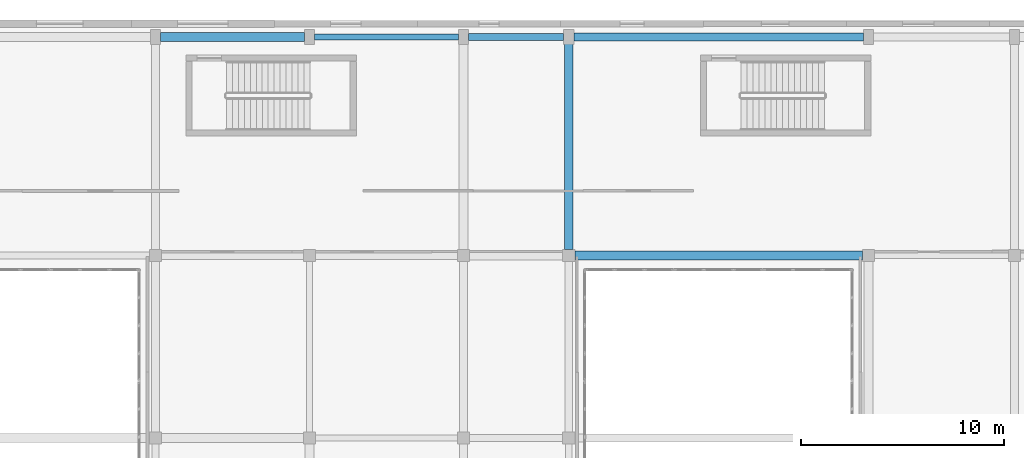
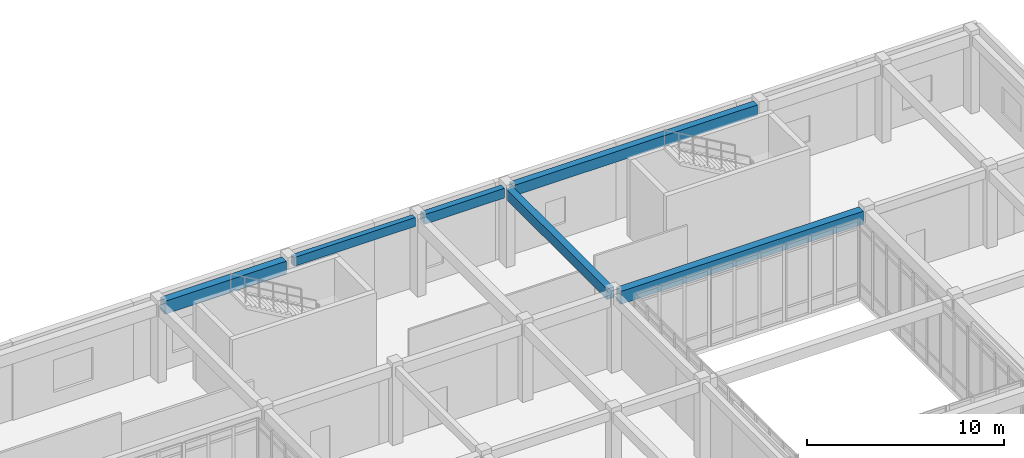
# One storey, part 72 of 121: 6 beams.
"""IFC4 building model written with IfcOpenShell, lengths in metres."""

import ifcopenshell
import ifcopenshell.guid

model = None  # the IFC model being written
_history = None  # IfcOwnerHistory: only IFC2X3 demands one
_inside = {}  # id of a spatial element -> (the spatial element, [elements in it])
_under = {}  # id of a project, library or spatial element -> (it, [spatial elements below it])
_declared = {}  # id of a project -> (the project, [libraries it declares])
_typed = {}  # id of a type object -> (the type object, [elements of that type])
_made_of = {}  # id of a material, layer set ... -> (it, [elements and type objects made of it])


def new_model(schema):
    """Start an empty IFC model of exactly this schema.

    Asked for "IFC4X3", IfcOpenShell would pick the latest addendum, in which some entities
    have other attributes; the version numbers below select the first issue.
    IFC2X3 requires an IfcOwnerHistory on every rooted entity: one is made here for all.
    """
    global model, _history
    if schema == "IFC4X3":
        model = ifcopenshell.file(schema_version=(4, 3, 0, 0))
    else:
        model = ifcopenshell.file(schema=schema)
    _inside.clear()
    _under.clear()
    _declared.clear()
    _typed.clear()
    _made_of.clear()
    _history = None
    if model.schema == "IFC2X3":
        org = make("IfcOrganization", Name="unknown")
        user = make(
            "IfcPersonAndOrganization",
            ThePerson=make("IfcPerson", FamilyName="unknown"),
            TheOrganization=org,
        )
        app = make(
            "IfcApplication",
            ApplicationDeveloper=org,
            Version="unknown",
            ApplicationFullName="unknown",
            ApplicationIdentifier="unknown",
        )
        _history = make(
            "IfcOwnerHistory",
            OwningUser=user,
            OwningApplication=app,
            ChangeAction="ADDED",
            CreationDate=0,
        )
    return model


def make(cls, **values):
    """One entity of the class cls with the attributes given. An attribute that is None is left unset."""
    return model.create_entity(
        cls, **{name: value for name, value in values.items() if value is not None}
    )


def rooted(cls, **values):
    """An entity with a GlobalId (a new one), such as an element, a storey or a relation."""
    return make(cls, GlobalId=ifcopenshell.guid.new(), OwnerHistory=_history, **values)


def si_unit(unit_type, name, prefix=None):
    """IfcSIUnit, for example si_unit("LENGTHUNIT", "METRE", prefix="MILLI")."""
    return make("IfcSIUnit", UnitType=unit_type, Prefix=prefix, Name=name)


def assignment(units):
    """IfcUnitAssignment: the units of a project."""
    return None if units is None else make("IfcUnitAssignment", Units=units)


def point(xyz):
    """IfcCartesianPoint."""
    return None if xyz is None else make("IfcCartesianPoint", Coordinates=xyz)


def direction(xyz):
    """IfcDirection."""
    return None if xyz is None else make("IfcDirection", DirectionRatios=xyz)


def frame(location, z_axis=None, x_axis=None):
    """IfcAxis2Placement3D, a coordinate frame: its origin and axes. An axis left out is left unset."""
    return make(
        "IfcAxis2Placement3D",
        Location=point(location),
        Axis=direction(z_axis),
        RefDirection=direction(x_axis),
    )


def frame_2d(location, x_axis=None):
    """IfcAxis2Placement2D, a coordinate frame in the plane: its origin and x axis."""
    return make(
        "IfcAxis2Placement2D", Location=point(location), RefDirection=direction(x_axis)
    )


def origin():
    """The frame at (0, 0, 0) with its axes left unset."""
    return frame((0.0, 0.0, 0.0))


def origin_2d():
    """The frame at (0, 0) in the plane with its x axis left unset."""
    return frame_2d((0.0, 0.0))


def place(relative_to, where):
    """IfcLocalPlacement: puts the frame where relative to a parent placement (None: the world)."""
    return make(
        "IfcLocalPlacement", PlacementRelTo=relative_to, RelativePlacement=where
    )


def context(
    kind, dimensions, precision=None, world=None, true_north=None, identifier=None
):
    """IfcGeometricRepresentationContext, for example the 3D "Model" context."""
    return make(
        "IfcGeometricRepresentationContext",
        ContextIdentifier=identifier,
        ContextType=kind,
        CoordinateSpaceDimension=dimensions,
        Precision=precision,
        WorldCoordinateSystem=world,
        TrueNorth=true_north,
    )


def subcontext(parent, identifier, kind, view, scale=None):
    """IfcGeometricRepresentationSubContext, for example "Body" below "Model"."""
    return make(
        "IfcGeometricRepresentationSubContext",
        ContextIdentifier=identifier,
        ContextType=kind,
        ParentContext=parent,
        TargetScale=scale,
        TargetView=view,
    )


def project(units=None, contexts=None):
    """IfcProject with its units and contexts."""
    return rooted(
        "IfcProject",
        Name="project",
        RepresentationContexts=contexts,
        UnitsInContext=assignment(units),
    )


def spatial(cls, under=None, at=None, **own):
    """A site, building, storey or space (cls), placed at a placement, below another one or the project."""
    s = rooted(cls, ObjectPlacement=at, **own)
    if under is not None:
        _under.setdefault(under.id(), (under, []))[1].append(s)
    return s


def profile(cls, at=None, kind="AREA", **sizes):
    """A parametric profile (cls). Its sizes go by their IFC names, for example OverallWidth=200.0."""
    return make(cls, ProfileType=kind, Position=at, **sizes)


def rectangle(**sizes):
    """IfcRectangleProfileDef."""
    return profile("IfcRectangleProfileDef", **sizes)


def extrude(swept, where, along, depth):
    """IfcExtrudedAreaSolid: the profile swept, set in the frame where, extruded along a direction by depth."""
    return make(
        "IfcExtrudedAreaSolid",
        SweptArea=swept,
        Position=where,
        ExtrudedDirection=direction(along),
        Depth=depth,
    )


def shape(context_of_items, identifier, shape_type, items):
    """IfcShapeRepresentation: the items that make up one representation, for example the "Body"."""
    return make(
        "IfcShapeRepresentation",
        ContextOfItems=context_of_items,
        RepresentationIdentifier=identifier,
        RepresentationType=shape_type,
        Items=items,
    )


def material(Name=None, Category=None):
    """IfcMaterial."""
    return make("IfcMaterial", Name=Name, Category=Category)


def material_profile(
    of_material, cross_section, Name=None, Category=None, Priority=None
):
    """IfcMaterialProfile: a cross section and its material."""
    return make(
        "IfcMaterialProfile",
        Name=Name,
        Material=of_material,
        Profile=cross_section,
        Priority=Priority,
        Category=Category,
    )


def profile_set(profiles, Name=None, composite=None):
    """IfcMaterialProfileSet."""
    return make(
        "IfcMaterialProfileSet",
        Name=Name,
        MaterialProfiles=profiles,
        CompositeProfile=composite,
    )


def made_of(thing, what):
    """Note that an element or type object is made of a material, layer set ...; save() writes the relation."""
    if what is not None:
        _made_of.setdefault(what.id(), (what, []))[1].append(thing)
    return thing


def type_object(cls, material=None, **own):
    """A type object (cls), such as IfcWallType, which elements share."""
    return made_of(rooted(cls, **own), material)


def element(
    cls,
    number,
    at=None,
    inside=None,
    cuts=None,
    type_object=None,
    material=None,
    context=None,
    identifier="Body",
    shape_type=None,
    held_by="IfcProductDefinitionShape",
    body=None,
    shapes=None,
    **own,
):
    """One element of the class cls, such as IfcWall. Its Tag is "e" and its number.

    at: its placement. inside: the storey or other place that contains it. cuts: it is an
    opening in that element (IfcRelVoidsElement). A single representation is given by context,
    identifier, shape_type and body (its items); several are given by shapes. held_by: the class
    of the entity that holds the representations. save() writes the other relations.
    """
    e = rooted(cls, Tag="e%d" % number, ObjectPlacement=at, **own)
    if body is not None:
        shapes = [shape(context, identifier, shape_type, body)]
    if shapes is not None:
        e.Representation = make(held_by, Representations=shapes)
    if inside is not None:
        _inside.setdefault(inside.id(), (inside, []))[1].append(e)
    if cuts is not None:
        rooted(
            "IfcRelVoidsElement", RelatingBuildingElement=cuts, RelatedOpeningElement=e
        )
    if type_object is not None:
        _typed.setdefault(type_object.id(), (type_object, []))[1].append(e)
    return made_of(e, material)


def aggregate(whole, parts):
    """IfcRelAggregates: a whole, such as a stair, and the parts it consists of."""
    return rooted("IfcRelAggregates", RelatingObject=whole, RelatedObjects=parts)


def save(model, path):
    """Write the relations noted so far, then the file.

    IfcRelAggregates (storeys below a building ...), IfcRelContainedInSpatialStructure (elements
    in a storey), IfcRelDefinesByType, IfcRelAssociatesMaterial and IfcRelDeclares: one each for
    every whole, place, type object, material and project.
    """
    for whole, parts in _under.values():
        aggregate(whole, parts)
    for where, things in _inside.values():
        rooted(
            "IfcRelContainedInSpatialStructure",
            RelatedElements=things,
            RelatingStructure=where,
        )
    for kind, things in _typed.values():
        rooted("IfcRelDefinesByType", RelatedObjects=things, RelatingType=kind)
    for what, things in _made_of.values():
        rooted("IfcRelAssociatesMaterial", RelatedObjects=things, RelatingMaterial=what)
    for by, libraries in _declared.values():
        rooted("IfcRelDeclares", RelatingContext=by, RelatedDefinitions=libraries)
    model.write(path)


model = new_model("IFC4")

# Units and contexts
model_context = context("Model", 3, precision=1e-05, world=origin(), true_north=direction((0.0, 1.0)))
body_context = subcontext(model_context, "Body", "Model", "MODEL_VIEW")
ifc_project = project(units=[si_unit("LENGTHUNIT", "METRE"), si_unit("AREAUNIT", "SQUARE_METRE"), si_unit("VOLUMEUNIT", "CUBIC_METRE"), si_unit("PLANEANGLEUNIT", "RADIAN"), si_unit("MASSUNIT", "GRAM", prefix="KILO")], contexts=[model_context])

# Site, building, storey
site_placement = place(None, origin())
site = spatial("IfcSite", under=ifc_project, at=site_placement, CompositionType="ELEMENT")
building_placement = place(site_placement, origin())
building = spatial("IfcBuilding", under=site, at=building_placement, Name="Valcora Specialist Clinic", CompositionType="ELEMENT")
storey_placement = place(building_placement, origin())
storey = spatial("IfcBuildingStorey", under=building, at=storey_placement, Name="L00", CompositionType="ELEMENT", Elevation=0.0)

# Beams
ifc_material = material(Name="Concrete C40/50", Category="concrete")
ifc_material_profile_1 = material_profile(ifc_material, rectangle(XDim=0.300048828125, YDim=0.550048828125, at=origin_2d()), Name="RC-BM-300X550")
ifc_profile_set_1 = profile_set([ifc_material_profile_1], Name="Concrete C40/50")
beam_type_1 = type_object("IfcBeamType", Name="TY-BM-RC300X550", PredefinedType="BEAM", material=ifc_profile_set_1)
beam_1_placement = place(storey_placement, frame((98.64990234375, 110.0, 4.534912109375), z_axis=(1.0, 0.0, 0.0), x_axis=(0.0, 1.0, 0.0)))
element("IfcBeam", 1, at=beam_1_placement, inside=storey, type_object=beam_type_1, Name="Beam BM-L00-0571", PredefinedType="BEAM", context=body_context, shape_type="SweptSolid", body=[
    extrude(rectangle(XDim=0.300048828125, YDim=0.550048828125, at=origin_2d()), origin(), (0.0, 0.0, 1.0), 7.10009765625),
])
ifc_material_profile_2 = material_profile(ifc_material, rectangle(XDim=0.35009765625, YDim=0.60009765625, at=origin_2d()), Name="RC-BM-350X600")
ifc_profile_set_2 = profile_set([ifc_material_profile_2], Name="Concrete C40/50")
beam_type_2 = type_object("IfcBeamType", Name="TY-BM-RC350X600", PredefinedType="BEAM", material=ifc_profile_set_2)
beam_2_placement = place(storey_placement, frame((106.25, 110.0, 4.510009765625), z_axis=(1.0, 0.0, 0.0), x_axis=(0.0, 1.0, 0.0)))
element("IfcBeam", 2, at=beam_2_placement, inside=storey, type_object=beam_type_2, Name="Beam BM-L00-0572", PredefinedType="BEAM", context=body_context, shape_type="SweptSolid", body=[
    extrude(rectangle(XDim=0.35009765625, YDim=0.60009765625, at=origin_2d()), origin(), (0.0, 0.0, 1.0), 4.699951171875),
])
ifc_material_profile_3 = material_profile(ifc_material, rectangle(XDim=0.39990234375, YDim=0.64990234375, at=origin_2d()), Name="RC-BM-400X650")
ifc_profile_set_3 = profile_set([ifc_material_profile_3], Name="Concrete C40/50")
beam_type_3 = type_object("IfcBeamType", Name="TY-BM-RC400X650", PredefinedType="BEAM", material=ifc_profile_set_3)
beam_3_placement = place(storey_placement, frame((111.449951171875, 110.0, 4.485107421875), z_axis=(1.0, 0.0, 0.0), x_axis=(0.0, 1.0, 0.0)))
element("IfcBeam", 3, at=beam_3_placement, inside=storey, type_object=beam_type_3, Name="Beam BM-L00-0573", PredefinedType="BEAM", context=body_context, shape_type="SweptSolid", body=[
    extrude(rectangle(XDim=0.39990234375, YDim=0.64990234375, at=origin_2d()), origin(), (0.0, 0.0, 1.0), 14.300048828125),
])
beam_4_placement = place(storey_placement, frame((111.199951171875, 99.5, 4.485107421875), z_axis=(0.0, 1.0, 0.0), x_axis=(-1.0, 0.0, 0.0)))
element("IfcBeam", 4, at=beam_4_placement, inside=storey, type_object=beam_type_3, Name="Beam BM-L00-0601", PredefinedType="BEAM", context=body_context, shape_type="SweptSolid", body=[
    extrude(rectangle(XDim=0.39990234375, YDim=0.64990234375, at=origin_2d()), origin(), (0.0, 0.0, 1.0), 10.25),
])
ifc_material_profile_4 = material_profile(ifc_material, rectangle(XDim=0.449951171875, YDim=0.800048828125, at=origin_2d()), Name="RC-BM-450X800")
ifc_profile_set_4 = profile_set([ifc_material_profile_4], Name="Concrete C40/50")
beam_type_4 = type_object("IfcBeamType", Name="TY-BM-RC450X800", PredefinedType="BEAM", material=ifc_profile_set_4)
beam_5_placement = place(storey_placement, frame((111.5, 99.199951171875, 4.409912109375), z_axis=(1.0, 0.0, 0.0), x_axis=(0.0, 1.0, 0.0)))
element("IfcBeam", 5, at=beam_5_placement, inside=storey, type_object=beam_type_4, Name="Beam BM-L00-0564", PredefinedType="BEAM", context=body_context, shape_type="SweptSolid", body=[
    extrude(rectangle(XDim=0.449951171875, YDim=0.800048828125, at=origin_2d()), origin(), (0.0, 0.0, 1.0), 14.199951171875),
])
beam_6_placement = place(storey_placement, frame((91.050048828125, 110.0, 4.409912109375), z_axis=(1.0, 0.0, 0.0), x_axis=(0.0, 1.0, 0.0)))
element("IfcBeam", 6, at=beam_6_placement, inside=storey, type_object=beam_type_4, Name="Beam BM-L00-0570", PredefinedType="BEAM", context=body_context, shape_type="SweptSolid", body=[
    extrude(rectangle(XDim=0.449951171875, YDim=0.800048828125, at=origin_2d()), origin(), (0.0, 0.0, 1.0), 7.099853515625),
])

save(model, "model.ifc")
